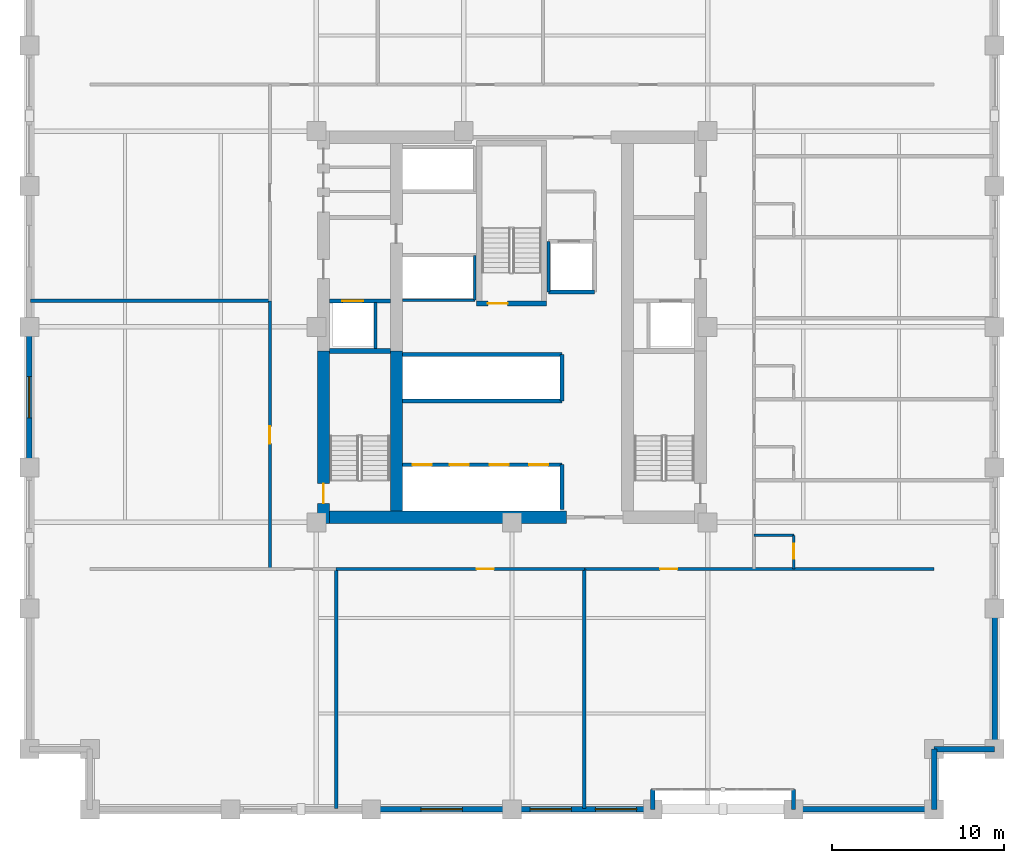
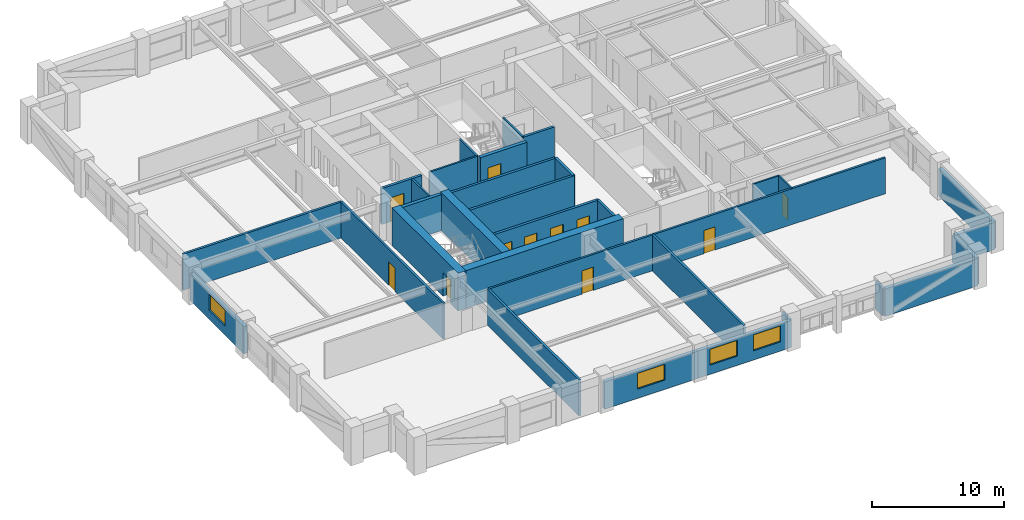
# One storey, part 4 of 9: 33 walls, 11 doors, 4 windows, 15 openings.
"""IFC4 building model written with IfcOpenShell, lengths in metres."""

from ifc_helpers import new_model, si_unit, direction, frame, frame_2d, origin, place, context, subcontext, project, spatial, rectangle, extrude, material, layer, layer_set, type_object, element, fill, save


model = new_model("IFC4")

# Units and contexts
model_context = context("Model", 3, precision=1e-05, world=origin(), true_north=direction((0.0, 1.0)))
body_context = subcontext(model_context, "Body", "Model", "MODEL_VIEW")
ifc_project = project(units=[si_unit("LENGTHUNIT", "METRE"), si_unit("AREAUNIT", "SQUARE_METRE"), si_unit("VOLUMEUNIT", "CUBIC_METRE"), si_unit("PLANEANGLEUNIT", "RADIAN"), si_unit("MASSUNIT", "GRAM", prefix="KILO")], contexts=[model_context])

# Site, building, storey
site_placement = place(None, origin())
site = spatial("IfcSite", under=ifc_project, at=site_placement, CompositionType="ELEMENT")
building_placement = place(site_placement, origin())
building = spatial("IfcBuilding", under=site, at=building_placement, Name="Nhamokura Convention Tower", CompositionType="ELEMENT")
storey_placement = place(building_placement, frame((0.0, 0.0, 66.85009765625)))
storey = spatial("IfcBuildingStorey", under=building, at=storey_placement, Name="L15", CompositionType="ELEMENT", Elevation=66.85009765625)

# Wall
ifc_material_1 = material(Name="Moisture-resistant tile-backer partition", Category="masonry")
ifc_layer_1 = layer(ifc_material_1, 0.139892578125)
ifc_layer_set_1 = layer_set([ifc_layer_1], Name="BathroomWetWall_140")
wall_type_1 = type_object("IfcWallType", Name="BathroomWetWall_140", PredefinedType="STANDARD", material=ifc_layer_set_1)
wall_1_placement = place(storey_placement, frame((46.050048828125, 19.89990234375, 0.0), z_axis=(0.0, 0.0, 1.0), x_axis=(1.0, 0.0, 0.0)))
element("IfcWall", 1, at=wall_1_placement, inside=storey, type_object=wall_type_1, Name="L15 Wall INT-L15-BW-E00N", PredefinedType="STANDARD", context=body_context, shape_type="SweptSolid", body=[
    extrude(rectangle(XDim=2.300048828125, YDim=0.139892578125, at=frame_2d((1.14990234375, 0.0))), origin(), (0.0, 0.0, 1.0), 3.31982421875),
])

# Wall, opening, door
wall_2_placement = place(storey_placement, frame((48.35009765625, 17.949951171875, 0.0), z_axis=(0.0, 0.0, 1.0), x_axis=(0.0, 1.0, 0.0)))
wall_2 = element("IfcWall", 2, at=wall_2_placement, inside=storey, type_object=wall_type_1, Name="L15 Wall INT-L15-BW-E00E", PredefinedType="STANDARD", context=body_context, shape_type="SweptSolid", body=[
    extrude(rectangle(XDim=1.949951171875, YDim=0.139892578125, at=frame_2d((0.97509765625, 0.0))), origin(), (0.0, 0.0, 1.0), 3.31982421875),
])
opening_1_placement = place(wall_2_placement, frame((0.580078125, 0.0, 0.0)))
opening_1 = element("IfcOpeningElement", 3, at=opening_1_placement, cuts=wall_2, Name="Opening D-11", PredefinedType="OPENING", context=body_context, shape_type="SweptSolid", body=[
    extrude(rectangle(XDim=0.8798828125, YDim=2.10009765625, at=frame_2d((0.43994140625, 1.050048828125))), frame((0.0, 0.079833984375, 0.0), z_axis=(0.0, -1.0, 0.0), x_axis=(1.0, 0.0, 0.0)), (0.0, 0.0, 1.0), 0.159912109375),
])
ifc_material_2 = material(Name="Solid oak hardwood", Category="wood")
door_type_1 = type_object("IfcDoorType", Name="BathroomDoor_880", OperationType="NOTDEFINED", PredefinedType="DOOR", material=ifc_material_2)
door_1_placement = place(opening_1_placement, origin())
door_1 = element("IfcDoor", 4, at=door_1_placement, inside=storey, type_object=door_type_1, Name="L15 Guest Room En-suite Door", OperationType="SINGLE_SWING_LEFT", OverallHeight=2.10009765625, OverallWidth=0.8798828125, PredefinedType="DOOR", context=body_context, shape_type="SweptSolid", body=[
    extrude(rectangle(XDim=0.8798828125, YDim=2.10009765625, at=frame_2d((0.43994140625, 1.050048828125))), frame((0.0, 0.02490234375, 0.0), z_axis=(0.0, -1.0, 0.0), x_axis=(1.0, 0.0, 0.0)), (0.0, 0.0, 1.0), 0.050048828125),
])
fill(opening_1, door_1)

# Walls
ifc_material_3 = material(Name="Bronze-pigmented precast concrete C45/55", Category="concrete")
ifc_layer_2 = layer(ifc_material_3, 0.320068359375)
ifc_layer_set_2 = layer_set([ifc_layer_2], Name="BronzePrecastSpandrel_320")
wall_type_2 = type_object("IfcWallType", Name="BronzePrecastSpandrel_320", PredefinedType="USERDEFINED", material=ifc_layer_set_2)
for number, where, z_axis, x_axis, name in (
    (5, (40.166748046875, 4.0, 0.0), (0.0, 0.0, 1.0), (0.0, 1.0, 0.0), "L15 Scale Slot Cheek Wall SOUTHA"),
    (6, (48.333251953125, 4.0, 0.0), (0.0, 0.0, 1.0), (0.0, 1.0, 0.0), "L15 Scale Slot Cheek Wall SOUTHB"),
):
    element("IfcWall", number, at=place(storey_placement, frame(where, z_axis=z_axis, x_axis=x_axis)), inside=storey, type_object=wall_type_2, Name=name, ObjectType="SPANDREL_WALL", PredefinedType="USERDEFINED", context=body_context, shape_type="SweptSolid", body=[
        extrude(rectangle(XDim=1.14990234375, YDim=0.239990234375, at=frame_2d((0.574951171875, 0.0))), origin(), (0.0, 0.0, 1.0), 2.52001953125),
    ])

# Wall, opening, window
wall_3_placement = place(storey_placement, frame((32.0, 4.0, 0.0), z_axis=(0.0, 0.0, 1.0), x_axis=(-1.0, 0.0, 0.0)))
wall_3 = element("IfcWall", 7, at=wall_3_placement, inside=storey, type_object=wall_type_2, Name="L15 Masonry-Frame Wall SOUTH 2", ObjectType="SPANDREL_WALL", PredefinedType="USERDEFINED", context=body_context, shape_type="SweptSolid", body=[
    extrude(rectangle(XDim=8.166748046875, YDim=0.320068359375, at=frame_2d((4.08349609375, 0.0))), origin(), (0.0, 0.0, 1.0), 2.52001953125),
])
opening_2_placement = place(wall_3_placement, frame((2.88330078125, 0.0, 0.85009765625)))
opening_2 = element("IfcOpeningElement", 8, at=opening_2_placement, cuts=wall_3, Name="Opening W-03", PredefinedType="OPENING", context=body_context, shape_type="SweptSolid", body=[
    extrude(rectangle(XDim=2.39990234375, YDim=1.469970703125, at=frame_2d((1.199951171875, 0.73486328125))), frame((0.0, 0.169921875, 0.0), z_axis=(0.0, -1.0, 0.0), x_axis=(1.0, 0.0, 0.0)), (0.0, 0.0, 1.0), 0.340087890625),
])
ifc_material_4 = material(Name="Solar-control bronze low-E double glass", Category="glass")
window_type = type_object("IfcWindowType", Name="HotelBayWindow_2400", PartitioningType="DOUBLE_PANEL_VERTICAL", PredefinedType="WINDOW", material=ifc_material_4)
window_1_placement = place(opening_2_placement, origin())
window_1 = element("IfcWindow", 9, at=window_1_placement, inside=storey, type_object=window_type, Name="L15 Facade Window SOUTH 2", OverallHeight=1.469970703125, OverallWidth=2.39990234375, PartitioningType="SINGLE_PANEL", PredefinedType="WINDOW", context=body_context, shape_type="SweptSolid", body=[
    extrude(rectangle(XDim=2.39990234375, YDim=1.469970703125, at=frame_2d((1.199951171875, 0.73486328125))), frame((0.0, 0.030029296875, 0.0), z_axis=(0.0, -1.0, 0.0), x_axis=(1.0, 0.0, 0.0)), (0.0, 0.0, 1.0), 0.06005859375),
])
fill(opening_2, window_1)

# Wall, openings, windows
wall_4_placement = place(storey_placement, frame((40.166748046875, 4.0, 0.0), z_axis=(0.0, 0.0, 1.0), x_axis=(-1.0, 0.0, 0.0)))
wall_4 = element("IfcWall", 10, at=wall_4_placement, inside=storey, type_object=wall_type_2, Name="L15 Masonry-Frame Wall SOUTH 3", ObjectType="SPANDREL_WALL", PredefinedType="USERDEFINED", context=body_context, shape_type="SweptSolid", body=[
    extrude(rectangle(XDim=8.166748046875, YDim=0.320068359375, at=frame_2d((4.08349609375, 0.0))), origin(), (0.0, 0.0, 1.0), 2.52001953125),
])
opening_3_placement = place(wall_4_placement, frame((0.933349609375, 0.0, 0.85009765625)))
opening_3 = element("IfcOpeningElement", 11, at=opening_3_placement, cuts=wall_4, Name="Opening W-03", PredefinedType="OPENING", context=body_context, shape_type="SweptSolid", body=[
    extrude(rectangle(XDim=2.39990234375, YDim=1.469970703125, at=frame_2d((1.199951171875, 0.73486328125))), frame((0.0, 0.169921875, 0.0), z_axis=(0.0, -1.0, 0.0), x_axis=(1.0, 0.0, 0.0)), (0.0, 0.0, 1.0), 0.340087890625),
])
opening_4_placement = place(wall_4_placement, frame((4.716796875, 0.0, 0.85009765625)))
opening_4 = element("IfcOpeningElement", 12, at=opening_4_placement, cuts=wall_4, Name="Opening W-03", PredefinedType="OPENING", context=body_context, shape_type="SweptSolid", body=[
    extrude(rectangle(XDim=2.39990234375, YDim=1.469970703125, at=frame_2d((1.199951171875, 0.73486328125))), frame((0.0, 0.169921875, 0.0), z_axis=(0.0, -1.0, 0.0), x_axis=(1.0, 0.0, 0.0)), (0.0, 0.0, 1.0), 0.340087890625),
])
window_2_placement = place(opening_3_placement, origin())
window_2 = element("IfcWindow", 13, at=window_2_placement, inside=storey, type_object=window_type, Name="L15 Facade Window SOUTH 3-1", OverallHeight=1.469970703125, OverallWidth=2.39990234375, PartitioningType="SINGLE_PANEL", PredefinedType="WINDOW", context=body_context, shape_type="SweptSolid", body=[
    extrude(rectangle(XDim=2.39990234375, YDim=1.469970703125, at=frame_2d((1.199951171875, 0.73486328125))), frame((0.0, 0.030029296875, 0.0), z_axis=(0.0, -1.0, 0.0), x_axis=(1.0, 0.0, 0.0)), (0.0, 0.0, 1.0), 0.06005859375),
])
fill(opening_3, window_2)
window_3_placement = place(opening_4_placement, origin())
window_3 = element("IfcWindow", 14, at=window_3_placement, inside=storey, type_object=window_type, Name="L15 Facade Window SOUTH 3-2", OverallHeight=1.469970703125, OverallWidth=2.39990234375, PartitioningType="SINGLE_PANEL", PredefinedType="WINDOW", context=body_context, shape_type="SweptSolid", body=[
    extrude(rectangle(XDim=2.39990234375, YDim=1.469970703125, at=frame_2d((1.199951171875, 0.73486328125))), frame((0.0, 0.030029296875, 0.0), z_axis=(0.0, -1.0, 0.0), x_axis=(1.0, 0.0, 0.0)), (0.0, 0.0, 1.0), 0.06005859375),
])
fill(opening_4, window_3)

# Wall
wall_5_placement = place(storey_placement, frame((56.5, 4.0, 0.0), z_axis=(0.0, 0.0, 1.0), x_axis=(-1.0, 0.0, 0.0)))
element("IfcWall", 15, at=wall_5_placement, inside=storey, type_object=wall_type_2, Name="L15 Braced-Bay Precast Wall SOUTH 5", ObjectType="SPANDREL_WALL", PredefinedType="USERDEFINED", context=body_context, shape_type="SweptSolid", body=[
    extrude(rectangle(XDim=8.166748046875, YDim=0.320068359375, at=frame_2d((4.08349609375, 0.0))), origin(), (0.0, 0.0, 1.0), 2.52001953125),
])

# Wall, opening, window
wall_6_placement = place(storey_placement, frame((4.0, 23.833251953125, 0.0), z_axis=(0.0, 0.0, 1.0), x_axis=(0.0, 1.0, 0.0)))
wall_6 = element("IfcWall", 16, at=wall_6_placement, inside=storey, type_object=wall_type_2, Name="L15 Masonry-Frame Wall WEST 2", ObjectType="SPANDREL_WALL", PredefinedType="USERDEFINED", context=body_context, shape_type="SweptSolid", body=[
    extrude(rectangle(XDim=8.166748046875, YDim=0.320068359375, at=frame_2d((4.08349609375, 0.0))), origin(), (0.0, 0.0, 1.0), 2.52001953125),
])
opening_5_placement = place(wall_6_placement, frame((2.88330078125, 0.0, 0.85009765625)))
opening_5 = element("IfcOpeningElement", 17, at=opening_5_placement, cuts=wall_6, Name="Opening W-03", PredefinedType="OPENING", context=body_context, shape_type="SweptSolid", body=[
    extrude(rectangle(XDim=2.39990234375, YDim=1.469970703125, at=frame_2d((1.199951171875, 0.73486328125))), frame((0.0, 0.169921875, 0.0), z_axis=(0.0, -1.0, 0.0), x_axis=(1.0, 0.0, 0.0)), (0.0, 0.0, 1.0), 0.340087890625),
])
window_4_placement = place(opening_5_placement, origin())
window_4 = element("IfcWindow", 18, at=window_4_placement, inside=storey, type_object=window_type, Name="L15 Facade Window WEST 2", OverallHeight=1.469970703125, OverallWidth=2.39990234375, PartitioningType="SINGLE_PANEL", PredefinedType="WINDOW", context=body_context, shape_type="SweptSolid", body=[
    extrude(rectangle(XDim=2.39990234375, YDim=1.469970703125, at=frame_2d((1.199951171875, 0.73486328125))), frame((0.0, 0.030029296875, 0.0), z_axis=(0.0, -1.0, 0.0), x_axis=(1.0, 0.0, 0.0)), (0.0, 0.0, 1.0), 0.06005859375),
])
fill(opening_5, window_4)

# Walls
wall_7_placement = place(storey_placement, frame((60.0, 15.666748046875, 0.0), z_axis=(0.0, 0.0, 1.0), x_axis=(0.0, -1.0, 0.0)))
element("IfcWall", 19, at=wall_7_placement, inside=storey, type_object=wall_type_2, Name="L15 Braced-Bay Precast Wall EAST 0", ObjectType="SPANDREL_WALL", PredefinedType="USERDEFINED", context=body_context, shape_type="SweptSolid", body=[
    extrude(rectangle(XDim=8.166748046875, YDim=0.320068359375, at=frame_2d((4.08349609375, 0.0))), origin(), (0.0, 0.0, 1.0), 2.52001953125),
])
for number, where, z_axis, x_axis, name in (
    (20, (56.5, 7.5, 0.0), (0.0, 0.0, 1.0), (0.0, -1.0, 0.0), "L15 Notched Corner Wall SE1"),
    (21, (60.0, 7.5, 0.0), (0.0, 0.0, 1.0), (-1.0, 0.0, 0.0), "L15 Notched Corner Wall SE2"),
):
    element("IfcWall", number, at=place(storey_placement, frame(where, z_axis=z_axis, x_axis=x_axis)), inside=storey, type_object=wall_type_2, Name=name, ObjectType="SPANDREL_WALL", PredefinedType="USERDEFINED", context=body_context, shape_type="SweptSolid", body=[
        extrude(rectangle(XDim=3.5, YDim=0.320068359375, at=frame_2d((1.75, 0.0))), origin(), (0.0, 0.0, 1.0), 2.52001953125),
    ])

# Wall, opening, door
ifc_material_5 = material(Name="Concrete C70/85", Category="concrete")
ifc_layer_3 = layer(ifc_material_5, 0.699951171875)
ifc_layer_set_3 = layer_set([ifc_layer_3], Name="CoreShearWall_700")
wall_type_3 = type_object("IfcWallType", Name="CoreShearWall_700", PredefinedType="SHEAR", material=ifc_layer_set_3)
wall_8_placement = place(storey_placement, frame((21.06005859375, 20.60009765625, 0.0), z_axis=(0.0, 0.0, 1.0), x_axis=(0.0, 1.0, 0.0)))
wall_8 = element("IfcWall", 22, at=wall_8_placement, inside=storey, type_object=wall_type_3, Name="L15 Core Shear Wall CW-WS", PredefinedType="SHEAR", context=body_context, shape_type="SweptSolid", body=[
    extrude(rectangle(XDim=10.0, YDim=0.699951171875, at=frame_2d((5.0, 0.0))), origin(), (0.0, 0.0, 1.0), 3.5),
])
opening_6_placement = place(wall_8_placement, frame((1.14990234375, 0.0, 0.0)))
opening_6 = element("IfcOpeningElement", 23, at=opening_6_placement, cuts=wall_8, Name="Opening D-04", PredefinedType="OPENING", context=body_context, shape_type="SweptSolid", body=[
    extrude(rectangle(XDim=1.14990234375, YDim=2.14990234375, at=frame_2d((0.574951171875, 1.074951171875))), frame((0.0, 0.35986328125, 0.0), z_axis=(0.0, -1.0, 0.0), x_axis=(1.0, 0.0, 0.0)), (0.0, 0.0, 1.0), 0.719970703125),
])
ifc_material_6 = material(Name="Fire-rated steel door", Category="steel")
door_type_2 = type_object("IfcDoorType", Name="StairSmokeDoor_1150", OperationType="NOTDEFINED", PredefinedType="DOOR", material=ifc_material_6)
door_2_placement = place(opening_6_placement, origin())
door_2 = element("IfcDoor", 24, at=door_2_placement, inside=storey, type_object=door_type_2, Name="L15 Core Door INT-L15-D-ST01", OperationType="SINGLE_SWING_LEFT", OverallHeight=2.14990234375, OverallWidth=1.14990234375, PredefinedType="DOOR", context=body_context, shape_type="SweptSolid", body=[
    extrude(rectangle(XDim=1.14990234375, YDim=2.14990234375, at=frame_2d((0.574951171875, 1.074951171875))), frame((0.0, 0.02490234375, 0.0), z_axis=(0.0, -1.0, 0.0), x_axis=(1.0, 0.0, 0.0)), (0.0, 0.0, 1.0), 0.050048828125),
])
fill(opening_6, door_2)

# Walls
wall_9_placement = place(storey_placement, frame((21.409912109375, 20.949951171875, 0.0), z_axis=(0.0, 0.0, 1.0), x_axis=(1.0, 0.0, 0.0)))
element("IfcWall", 25, at=wall_9_placement, inside=storey, type_object=wall_type_3, Name="L15 Core Shear Wall CW-S1", PredefinedType="SHEAR", context=body_context, shape_type="SweptSolid", body=[
    extrude(rectangle(XDim=13.739990234375, YDim=0.699951171875, at=frame_2d((6.8701171875, 0.0))), origin(), (0.0, 0.0, 1.0), 3.5),
])
wall_10_placement = place(storey_placement, frame((25.2900390625, 21.300048828125, 0.0), z_axis=(0.0, 0.0, 1.0), x_axis=(0.0, 1.0, 0.0)))
element("IfcWall", 26, at=wall_10_placement, inside=storey, type_object=wall_type_3, Name="L15 Core Shear Wall CW-IWS", PredefinedType="SHEAR", context=body_context, shape_type="SweptSolid", body=[
    extrude(rectangle(XDim=9.300048828125, YDim=0.699951171875, at=frame_2d((4.64990234375, 0.0))), origin(), (0.0, 0.0, 1.0), 3.5),
])

# Wall, opening, door
ifc_material_7 = material(Name="Fire-rated gypsum and masonry partition", Category="masonry")
ifc_layer_4 = layer(ifc_material_7, 0.179931640625)
ifc_layer_set_4 = layer_set([ifc_layer_4], Name="CorridorRatedWall_180")
wall_type_4 = type_object("IfcWallType", Name="CorridorRatedWall_180", PredefinedType="STANDARD", material=ifc_layer_set_4)
wall_11_placement = place(storey_placement, frame((21.800048828125, 17.949951171875, 0.0), z_axis=(0.0, 0.0, 1.0), x_axis=(1.0, 0.0, 0.0)))
wall_11 = element("IfcWall", 27, at=wall_11_placement, inside=storey, type_object=wall_type_4, Name="L15 Wall INT-L15-CW-S01", PredefinedType="STANDARD", context=body_context, shape_type="SweptSolid", body=[
    extrude(rectangle(XDim=14.39990234375, YDim=0.179931640625, at=frame_2d((7.199951171875, 0.0))), origin(), (0.0, 0.0, 1.0), 3.31982421875),
])
opening_7_placement = place(wall_11_placement, frame((8.14990234375, 0.0, 0.0)))
opening_7 = element("IfcOpeningElement", 28, at=opening_7_placement, cuts=wall_11, Name="Opening D-07", PredefinedType="OPENING", context=body_context, shape_type="SweptSolid", body=[
    extrude(rectangle(XDim=1.0, YDim=2.14990234375, at=frame_2d((0.5, 1.074951171875))), frame((0.0, 0.099853515625, 0.0), z_axis=(0.0, -1.0, 0.0), x_axis=(1.0, 0.0, 0.0)), (0.0, 0.0, 1.0), 0.199951171875),
])
ifc_material_8 = material(Name="Solid oak hardwood", Category="wood")
door_type_3 = type_object("IfcDoorType", Name="HotelSuiteEntryDoor_1000", OperationType="NOTDEFINED", PredefinedType="DOOR", material=ifc_material_8)
door_3_placement = place(opening_7_placement, origin())
door_3 = element("IfcDoor", 29, at=door_3_placement, inside=storey, type_object=door_type_3, Name="L15 Conference Salon S02 Door", OperationType="SINGLE_SWING_RIGHT", OverallHeight=2.14990234375, OverallWidth=1.0, PredefinedType="DOOR", context=body_context, shape_type="SweptSolid", body=[
    extrude(rectangle(XDim=1.0, YDim=2.14990234375, at=frame_2d((0.5, 1.074951171875))), frame((0.0, 0.02490234375, 0.0), z_axis=(0.0, -1.0, 0.0), x_axis=(1.0, 0.0, 0.0)), (0.0, 0.0, 1.0), 0.050048828125),
])
fill(opening_7, door_3)

wall_12_placement = place(storey_placement, frame((36.199951171875, 17.949951171875, 0.0), z_axis=(0.0, 0.0, 1.0), x_axis=(1.0, 0.0, 0.0)))
wall_12 = element("IfcWall", 30, at=wall_12_placement, inside=storey, type_object=wall_type_4, Name="L15 Wall INT-L15-CW-S02", PredefinedType="STANDARD", context=body_context, shape_type="SweptSolid", body=[
    extrude(rectangle(XDim=20.300048828125, YDim=0.179931640625, at=frame_2d((10.14990234375, 0.0))), origin(), (0.0, 0.0, 1.0), 3.31982421875),
])
opening_8_placement = place(wall_12_placement, frame((4.39990234375, 0.0, 0.0)))
opening_8 = element("IfcOpeningElement", 31, at=opening_8_placement, cuts=wall_12, Name="Opening D-07", PredefinedType="OPENING", context=body_context, shape_type="SweptSolid", body=[
    extrude(rectangle(XDim=1.0, YDim=2.14990234375, at=frame_2d((0.5, 1.074951171875))), frame((0.0, 0.099853515625, 0.0), z_axis=(0.0, -1.0, 0.0), x_axis=(1.0, 0.0, 0.0)), (0.0, 0.0, 1.0), 0.199951171875),
])
door_4_placement = place(opening_8_placement, origin())
door_4 = element("IfcDoor", 32, at=door_4_placement, inside=storey, type_object=door_type_3, Name="L15 Conference Salon S03 Door", OperationType="SINGLE_SWING_LEFT", OverallHeight=2.14990234375, OverallWidth=1.0, PredefinedType="DOOR", context=body_context, shape_type="SweptSolid", body=[
    extrude(rectangle(XDim=1.0, YDim=2.14990234375, at=frame_2d((0.5, 1.074951171875))), frame((0.0, 0.02490234375, 0.0), z_axis=(0.0, -1.0, 0.0), x_axis=(1.0, 0.0, 0.0)), (0.0, 0.0, 1.0), 0.050048828125),
])
fill(opening_8, door_4)

wall_13_placement = place(storey_placement, frame((17.949951171875, 17.949951171875, 0.0), z_axis=(0.0, 0.0, 1.0), x_axis=(0.0, 1.0, 0.0)))
wall_13 = element("IfcWall", 33, at=wall_13_placement, inside=storey, type_object=wall_type_4, Name="L15 Wall INT-L15-CW-W00", PredefinedType="STANDARD", context=body_context, shape_type="SweptSolid", body=[
    extrude(rectangle(XDim=15.550048828125, YDim=0.179931640625, at=frame_2d((7.77490234375, 0.0))), origin(), (0.0, 0.0, 1.0), 3.31982421875),
])
opening_9_placement = place(wall_13_placement, frame((7.27490234375, 0.0, 0.0)))
opening_9 = element("IfcOpeningElement", 34, at=opening_9_placement, cuts=wall_13, Name="Opening D-07", PredefinedType="OPENING", context=body_context, shape_type="SweptSolid", body=[
    extrude(rectangle(XDim=1.0, YDim=2.14990234375, at=frame_2d((0.5, 1.074951171875))), frame((0.0, 0.099853515625, 0.0), z_axis=(0.0, -1.0, 0.0), x_axis=(1.0, 0.0, 0.0)), (0.0, 0.0, 1.0), 0.199951171875),
])
door_5_placement = place(opening_9_placement, origin())
door_5 = element("IfcDoor", 35, at=door_5_placement, inside=storey, type_object=door_type_3, Name="L15 Hotel Club Dining Room W01 Door", OperationType="SINGLE_SWING_LEFT", OverallHeight=2.14990234375, OverallWidth=1.0, PredefinedType="DOOR", context=body_context, shape_type="SweptSolid", body=[
    extrude(rectangle(XDim=1.0, YDim=2.14990234375, at=frame_2d((0.5, 1.074951171875))), frame((0.0, 0.02490234375, 0.0), z_axis=(0.0, -1.0, 0.0), x_axis=(1.0, 0.0, 0.0)), (0.0, 0.0, 1.0), 0.050048828125),
])
fill(opening_9, door_5)

ifc_material_9 = material(Name="Autoclaved concrete blockwork", Category="masonry")
ifc_layer_5 = layer(ifc_material_9, 0.219970703125)
ifc_layer_set_5 = layer_set([ifc_layer_5], Name="FireLobbyWall_220")
wall_type_5 = type_object("IfcWallType", Name="FireLobbyWall_220", PredefinedType="STANDARD", material=ifc_layer_set_5)
wall_14_placement = place(storey_placement, frame((21.409912109375, 33.5, 0.0), z_axis=(0.0, 0.0, 1.0), x_axis=(1.0, 0.0, 0.0)))
wall_14 = element("IfcWall", 36, at=wall_14_placement, inside=storey, type_object=wall_type_5, Name="L15 Wall INT-L15-FFW-S", PredefinedType="STANDARD", context=body_context, shape_type="SweptSolid", body=[
    extrude(rectangle(XDim=3.530029296875, YDim=0.219970703125, at=frame_2d((1.76513671875, 0.0))), origin(), (0.0, 0.0, 1.0), 3.31982421875),
])
opening_10_placement = place(wall_14_placement, frame((0.75, 0.0, 0.0)))
opening_10 = element("IfcOpeningElement", 37, at=opening_10_placement, cuts=wall_14, Name="Opening LD-02", PredefinedType="OPENING", context=body_context, shape_type="SweptSolid", body=[
    extrude(rectangle(XDim=1.199951171875, YDim=2.199951171875, at=frame_2d((0.60009765625, 1.10009765625))), frame((0.0, 0.119873046875, 0.0), z_axis=(0.0, -1.0, 0.0), x_axis=(1.0, 0.0, 0.0)), (0.0, 0.0, 1.0), 0.239990234375),
])
ifc_material_10 = material(Name="Anodised bronze stainless steel", Category="steel")
door_type_4 = type_object("IfcDoorType", Name="LiftLandingDoor_FireService", OperationType="DOUBLE_DOOR_SLIDING", PredefinedType="DOOR", material=ifc_material_10)
door_6_placement = place(opening_10_placement, origin())
door_6 = element("IfcDoor", 38, at=door_6_placement, inside=storey, type_object=door_type_4, Name="L15 Firefighting Lift LF-01 Door", OperationType="DOUBLE_DOOR_SLIDING", OverallHeight=2.199951171875, OverallWidth=1.199951171875, PredefinedType="DOOR", context=body_context, shape_type="SweptSolid", body=[
    extrude(rectangle(XDim=1.199951171875, YDim=2.199951171875, at=frame_2d((0.60009765625, 1.10009765625))), frame((0.0, 0.02490234375, 0.0), z_axis=(0.0, -1.0, 0.0), x_axis=(1.0, 0.0, 0.0)), (0.0, 0.0, 1.0), 0.050048828125),
])
fill(opening_10, door_6)

# Wall, openings, doors
wall_15_placement = place(storey_placement, frame((25.64990234375, 24.0, 0.0), z_axis=(0.0, 0.0, 1.0), x_axis=(1.0, 0.0, 0.0)))
wall_15 = element("IfcWall", 39, at=wall_15_placement, inside=storey, type_object=wall_type_5, Name="L15 Wall INT-L15-B1N", PredefinedType="STANDARD", context=body_context, shape_type="SweptSolid", body=[
    extrude(rectangle(XDim=9.25, YDim=0.219970703125, at=frame_2d((4.625, 0.0))), origin(), (0.0, 0.0, 1.0), 3.31982421875),
])
opening_11_placement = place(wall_15_placement, frame((0.580078125, 0.0, 0.0)))
opening_11 = element("IfcOpeningElement", 40, at=opening_11_placement, cuts=wall_15, Name="Opening LD-01", PredefinedType="OPENING", context=body_context, shape_type="SweptSolid", body=[
    extrude(rectangle(XDim=1.10009765625, YDim=2.14990234375, at=frame_2d((0.550048828125, 1.074951171875))), frame((0.0, 0.119873046875, 0.0), z_axis=(0.0, -1.0, 0.0), x_axis=(1.0, 0.0, 0.0)), (0.0, 0.0, 1.0), 0.239990234375),
])
opening_12_placement = place(wall_15_placement, frame((2.75, 0.0, 0.0)))
opening_12 = element("IfcOpeningElement", 41, at=opening_12_placement, cuts=wall_15, Name="Opening LD-01", PredefinedType="OPENING", context=body_context, shape_type="SweptSolid", body=[
    extrude(rectangle(XDim=1.10009765625, YDim=2.14990234375, at=frame_2d((0.550048828125, 1.074951171875))), frame((0.0, 0.119873046875, 0.0), z_axis=(0.0, -1.0, 0.0), x_axis=(1.0, 0.0, 0.0)), (0.0, 0.0, 1.0), 0.239990234375),
])
opening_13_placement = place(wall_15_placement, frame((5.050048828125, 0.0, 0.0)))
opening_13 = element("IfcOpeningElement", 42, at=opening_13_placement, cuts=wall_15, Name="Opening LD-01", PredefinedType="OPENING", context=body_context, shape_type="SweptSolid", body=[
    extrude(rectangle(XDim=1.10009765625, YDim=2.14990234375, at=frame_2d((0.550048828125, 1.074951171875))), frame((0.0, 0.119873046875, 0.0), z_axis=(0.0, -1.0, 0.0), x_axis=(1.0, 0.0, 0.0)), (0.0, 0.0, 1.0), 0.239990234375),
])
opening_14_placement = place(wall_15_placement, frame((7.35009765625, 0.0, 0.0)))
opening_14 = element("IfcOpeningElement", 43, at=opening_14_placement, cuts=wall_15, Name="Opening LD-01", PredefinedType="OPENING", context=body_context, shape_type="SweptSolid", body=[
    extrude(rectangle(XDim=1.10009765625, YDim=2.14990234375, at=frame_2d((0.550048828125, 1.074951171875))), frame((0.0, 0.119873046875, 0.0), z_axis=(0.0, -1.0, 0.0), x_axis=(1.0, 0.0, 0.0)), (0.0, 0.0, 1.0), 0.239990234375),
])
ifc_material_11 = material(Name="Anodised bronze stainless steel", Category="steel")
door_type_5 = type_object("IfcDoorType", Name="LiftLandingDoor_Passenger", OperationType="DOUBLE_DOOR_SLIDING", PredefinedType="DOOR", material=ifc_material_11)
door_7_placement = place(opening_11_placement, origin())
door_7 = element("IfcDoor", 44, at=door_7_placement, inside=storey, type_object=door_type_5, Name="L15 Lift LP-01 Landing Door", OperationType="DOUBLE_DOOR_SLIDING", OverallHeight=2.14990234375, OverallWidth=1.10009765625, PredefinedType="DOOR", context=body_context, shape_type="SweptSolid", body=[
    extrude(rectangle(XDim=1.10009765625, YDim=2.14990234375, at=frame_2d((0.550048828125, 1.074951171875))), frame((0.0, 0.02490234375, 0.0), z_axis=(0.0, -1.0, 0.0), x_axis=(1.0, 0.0, 0.0)), (0.0, 0.0, 1.0), 0.050048828125),
])
fill(opening_11, door_7)
door_8_placement = place(opening_12_placement, origin())
door_8 = element("IfcDoor", 45, at=door_8_placement, inside=storey, type_object=door_type_5, Name="L15 Lift LP-02 Landing Door", OperationType="DOUBLE_DOOR_SLIDING", OverallHeight=2.14990234375, OverallWidth=1.10009765625, PredefinedType="DOOR", context=body_context, shape_type="SweptSolid", body=[
    extrude(rectangle(XDim=1.10009765625, YDim=2.14990234375, at=frame_2d((0.550048828125, 1.074951171875))), frame((0.0, 0.02490234375, 0.0), z_axis=(0.0, -1.0, 0.0), x_axis=(1.0, 0.0, 0.0)), (0.0, 0.0, 1.0), 0.050048828125),
])
fill(opening_12, door_8)
door_9_placement = place(opening_13_placement, origin())
door_9 = element("IfcDoor", 46, at=door_9_placement, inside=storey, type_object=door_type_5, Name="L15 Lift LP-03 Landing Door", OperationType="DOUBLE_DOOR_SLIDING", OverallHeight=2.14990234375, OverallWidth=1.10009765625, PredefinedType="DOOR", context=body_context, shape_type="SweptSolid", body=[
    extrude(rectangle(XDim=1.10009765625, YDim=2.14990234375, at=frame_2d((0.550048828125, 1.074951171875))), frame((0.0, 0.02490234375, 0.0), z_axis=(0.0, -1.0, 0.0), x_axis=(1.0, 0.0, 0.0)), (0.0, 0.0, 1.0), 0.050048828125),
])
fill(opening_13, door_9)
door_10_placement = place(opening_14_placement, origin())
door_10 = element("IfcDoor", 47, at=door_10_placement, inside=storey, type_object=door_type_5, Name="L15 Lift LP-04 Landing Door", OperationType="DOUBLE_DOOR_SLIDING", OverallHeight=2.14990234375, OverallWidth=1.10009765625, PredefinedType="DOOR", context=body_context, shape_type="SweptSolid", body=[
    extrude(rectangle(XDim=1.10009765625, YDim=2.14990234375, at=frame_2d((0.550048828125, 1.074951171875))), frame((0.0, 0.02490234375, 0.0), z_axis=(0.0, -1.0, 0.0), x_axis=(1.0, 0.0, 0.0)), (0.0, 0.0, 1.0), 0.050048828125),
])
fill(opening_14, door_10)

# Walls
wall_16_placement = place(storey_placement, frame((34.89990234375, 21.39990234375, 0.0), z_axis=(0.0, 0.0, 1.0), x_axis=(0.0, 1.0, 0.0)))
element("IfcWall", 48, at=wall_16_placement, inside=storey, type_object=wall_type_5, Name="L15 Wall INT-L15-B1E", PredefinedType="STANDARD", context=body_context, shape_type="SweptSolid", body=[
    extrude(rectangle(XDim=2.60009765625, YDim=0.219970703125, at=frame_2d((1.300048828125, 0.0))), origin(), (0.0, 0.0, 1.0), 3.31982421875),
])
for number, where, z_axis, x_axis, name in (
    (49, (25.64990234375, 27.699951171875, 0.0), (0.0, 0.0, 1.0), (1.0, 0.0, 0.0), "L15 Wall INT-L15-B2S"),
    (50, (25.64990234375, 30.39990234375, 0.0), (0.0, 0.0, 1.0), (1.0, 0.0, 0.0), "L15 Wall INT-L15-B2N"),
):
    element("IfcWall", number, at=place(storey_placement, frame(where, z_axis=z_axis, x_axis=x_axis)), inside=storey, type_object=wall_type_5, Name=name, PredefinedType="STANDARD", context=body_context, shape_type="SweptSolid", body=[
        extrude(rectangle(XDim=9.25, YDim=0.219970703125, at=frame_2d((4.625, 0.0))), origin(), (0.0, 0.0, 1.0), 3.31982421875),
    ])
wall_17_placement = place(storey_placement, frame((34.89990234375, 27.699951171875, 0.0), z_axis=(0.0, 0.0, 1.0), x_axis=(0.0, 1.0, 0.0)))
element("IfcWall", 51, at=wall_17_placement, inside=storey, type_object=wall_type_5, Name="L15 Wall INT-L15-B2E", PredefinedType="STANDARD", context=body_context, shape_type="SweptSolid", body=[
    extrude(rectangle(XDim=2.699951171875, YDim=0.219970703125, at=frame_2d((1.35009765625, 0.0))), origin(), (0.0, 0.0, 1.0), 3.31982421875),
])
wall_18_placement = place(storey_placement, frame((34.1201171875, 34.02001953125, 0.0), z_axis=(0.0, 0.0, 1.0), x_axis=(1.0, 0.0, 0.0)))
element("IfcWall", 52, at=wall_18_placement, inside=storey, type_object=wall_type_5, Name="L15 Wall INT-L15-LSS", PredefinedType="STANDARD", context=body_context, shape_type="SweptSolid", body=[
    extrude(rectangle(XDim=2.679931640625, YDim=0.219970703125, at=frame_2d((1.33984375, 0.0))), origin(), (0.0, 0.0, 1.0), 3.31982421875),
])
ifc_material_12 = material(Name="Acoustic twin-stud gypsum partition", Category="masonry")
ifc_layer_6 = layer(ifc_material_12, 0.199951171875)
ifc_layer_set_6 = layer_set([ifc_layer_6], Name="HotelDemisingWall_200")
wall_type_6 = type_object("IfcWallType", Name="HotelDemisingWall_200", PredefinedType="STANDARD", material=ifc_layer_set_6)
for number, where, z_axis, x_axis, name in (
    (53, (21.800048828125, 4.06005859375, 0.0), (0.0, 0.0, 1.0), (0.0, 1.0, 0.0), "L15 Wall INT-L15-RW-S01"),
    (54, (36.199951171875, 4.06005859375, 0.0), (0.0, 0.0, 1.0), (0.0, 1.0, 0.0), "L15 Wall INT-L15-RW-S02"),
    (55, (4.06005859375, 33.5, 0.0), (0.0, 0.0, 1.0), (1.0, 0.0, 0.0), "L15 Wall INT-L15-RW-W01"),
):
    element("IfcWall", number, at=place(storey_placement, frame(where, z_axis=z_axis, x_axis=x_axis)), inside=storey, type_object=wall_type_6, Name=name, PredefinedType="STANDARD", context=body_context, shape_type="SweptSolid", body=[
        extrude(rectangle(XDim=13.889892578125, YDim=0.199951171875, at=frame_2d((6.94482421875, 0.0))), origin(), (0.0, 0.0, 1.0), 3.31982421875),
    ])
ifc_material_13 = material(Name="Acoustic gypsum stud partition", Category="masonry")
ifc_layer_7 = layer(ifc_material_13, 0.14990234375)
ifc_layer_set_7 = layer_set([ifc_layer_7], Name="InteriorPartition_150")
wall_type_7 = type_object("IfcWallType", Name="InteriorPartition_150", PredefinedType="STANDARD", material=ifc_layer_set_7)
wall_19_placement = place(storey_placement, frame((24.080078125, 30.75, 0.0), z_axis=(0.0, 0.0, 1.0), x_axis=(0.0, 1.0, 0.0)))
element("IfcWall", 56, at=wall_19_placement, inside=storey, type_object=wall_type_7, Name="L15 Wall INT-L15-FF1-E", PredefinedType="STANDARD", context=body_context, shape_type="SweptSolid", body=[
    extrude(rectangle(XDim=2.64990234375, YDim=0.14990234375, at=frame_2d((1.324951171875, 0.0))), origin(), (0.0, 0.0, 1.0), 3.31982421875),
])
wall_20_placement = place(storey_placement, frame((25.64990234375, 33.550048828125, 0.0), z_axis=(0.0, 0.0, 1.0), x_axis=(1.0, 0.0, 0.0)))
element("IfcWall", 57, at=wall_20_placement, inside=storey, type_object=wall_type_7, Name="L15 Wall INT-L15-B3A-S", PredefinedType="STANDARD", context=body_context, shape_type="SweptSolid", body=[
    extrude(rectangle(XDim=4.2001953125, YDim=0.14990234375, at=frame_2d((2.10009765625, 0.0))), origin(), (0.0, 0.0, 1.0), 3.31982421875),
])
wall_21_placement = place(storey_placement, frame((29.85009765625, 33.550048828125, 0.0), z_axis=(0.0, 0.0, 1.0), x_axis=(0.0, 1.0, 0.0)))
element("IfcWall", 58, at=wall_21_placement, inside=storey, type_object=wall_type_7, Name="L15 Wall INT-L15-B3A-E", PredefinedType="STANDARD", context=body_context, shape_type="SweptSolid", body=[
    extrude(rectangle(XDim=2.599853515625, YDim=0.14990234375, at=frame_2d((1.2998046875, 0.0))), origin(), (0.0, 0.0, 1.0), 3.31982421875),
])
wall_22_placement = place(storey_placement, frame((34.1201171875, 34.02001953125, 0.0), z_axis=(0.0, 0.0, 1.0), x_axis=(0.0, 1.0, 0.0)))
element("IfcWall", 59, at=wall_22_placement, inside=storey, type_object=wall_type_7, Name="L15 Wall INT-L15-LSW", PredefinedType="STANDARD", context=body_context, shape_type="SweptSolid", body=[
    extrude(rectangle(XDim=2.929931640625, YDim=0.14990234375, at=frame_2d((1.46484375, 0.0))), origin(), (0.0, 0.0, 1.0), 3.31982421875),
])
ifc_material_14 = material(Name="Concrete C50/60", Category="concrete")
ifc_layer_8 = layer(ifc_material_14, 0.300048828125)
ifc_layer_set_8 = layer_set([ifc_layer_8], Name="ShaftEnclosureWall_300")
wall_type_8 = type_object("IfcWallType", Name="ShaftEnclosureWall_300", PredefinedType="SHEAR", material=ifc_layer_set_8)
wall_23_placement = place(storey_placement, frame((21.409912109375, 30.60009765625, 0.0), z_axis=(0.0, 0.0, 1.0), x_axis=(1.0, 0.0, 0.0)))
element("IfcWall", 60, at=wall_23_placement, inside=storey, type_object=wall_type_8, Name="L15 Wall INT-L15-ST01-N", PredefinedType="SHEAR", context=body_context, shape_type="SweptSolid", body=[
    extrude(rectangle(XDim=3.530029296875, YDim=0.300048828125, at=frame_2d((1.76513671875, 0.0))), origin(), (0.0, 0.0, 1.0), 3.31982421875),
])

# Wall, opening, door
wall_24_placement = place(storey_placement, frame((29.949951171875, 33.35009765625, 0.0), z_axis=(0.0, 0.0, 1.0), x_axis=(1.0, 0.0, 0.0)))
wall_24 = element("IfcWall", 61, at=wall_24_placement, inside=storey, type_object=wall_type_8, Name="L15 Wall INT-L15-ST03S", PredefinedType="SHEAR", context=body_context, shape_type="SweptSolid", body=[
    extrude(rectangle(XDim=4.050048828125, YDim=0.300048828125, at=frame_2d((2.02490234375, 0.0))), origin(), (0.0, 0.0, 1.0), 3.31982421875),
])
opening_15_placement = place(wall_24_placement, frame((0.64990234375, 0.0, 0.0)))
opening_15 = element("IfcOpeningElement", 62, at=opening_15_placement, cuts=wall_24, Name="Opening D-04", PredefinedType="OPENING", context=body_context, shape_type="SweptSolid", body=[
    extrude(rectangle(XDim=1.14990234375, YDim=2.14990234375, at=frame_2d((0.574951171875, 1.074951171875))), frame((0.0, 0.159912109375, 0.0), z_axis=(0.0, -1.0, 0.0), x_axis=(1.0, 0.0, 0.0)), (0.0, 0.0, 1.0), 0.320068359375),
])
door_11_placement = place(opening_15_placement, origin())
door_11 = element("IfcDoor", 63, at=door_11_placement, inside=storey, type_object=door_type_2, Name="L15 Stair ST-03 Smoke Door", OperationType="SINGLE_SWING_LEFT", OverallHeight=2.14990234375, OverallWidth=1.14990234375, PredefinedType="DOOR", context=body_context, shape_type="SweptSolid", body=[
    extrude(rectangle(XDim=1.14990234375, YDim=2.14990234375, at=frame_2d((0.574951171875, 1.074951171875))), frame((0.0, 0.02490234375, 0.0), z_axis=(0.0, -1.0, 0.0), x_axis=(1.0, 0.0, 0.0)), (0.0, 0.0, 1.0), 0.050048828125),
])
fill(opening_15, door_11)

save(model, "model.ifc")
